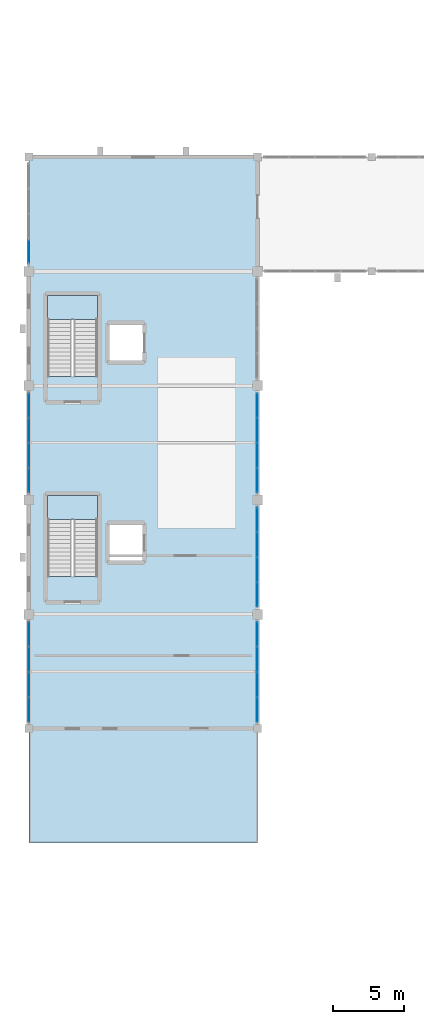
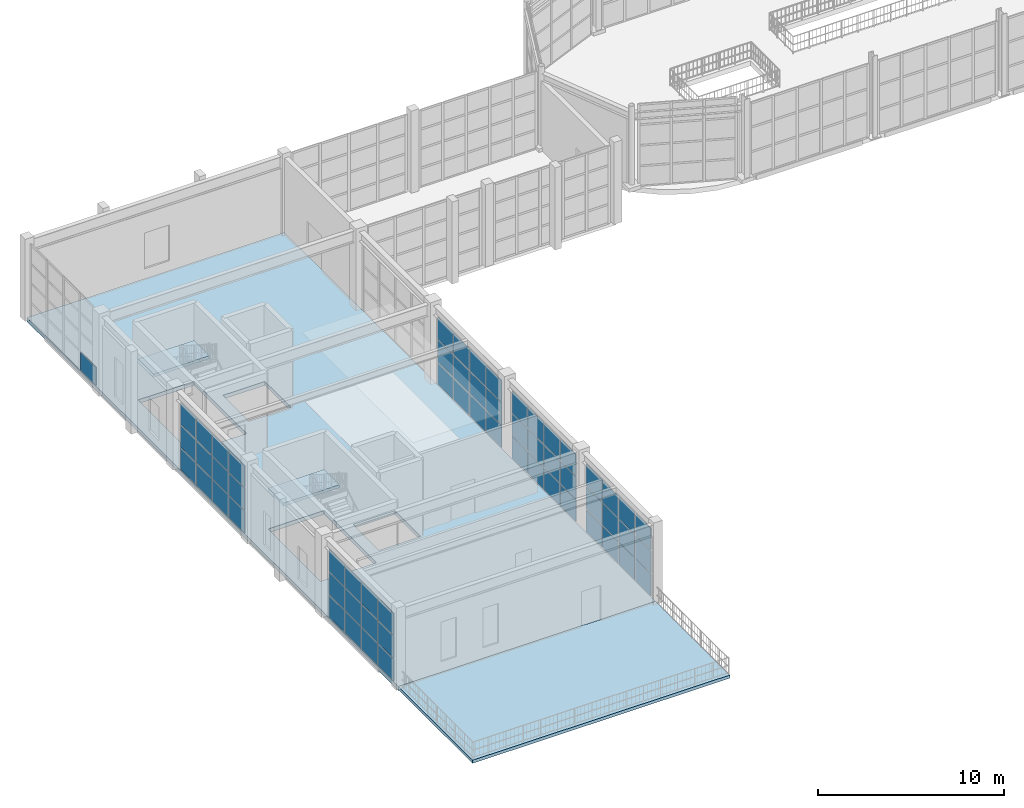
# One storey, part 47 of 82: 61 plates, 4 slabs, 8 elements without a shape of their own.
"""IFC4 building model written with IfcOpenShell, lengths in metres."""

from ifc_helpers import new_model, si_unit, direction, frame, origin, origin_2d, place, context, subcontext, project, spatial, polyline, rectangle, outline, extrude, material, layer, layer_set, type_object, element, aggregate, save


model = new_model("IFC4")

# Units and contexts
model_context = context("Model", 3, precision=1e-05, world=origin(), true_north=direction((0.0, 1.0)))
body_context = subcontext(model_context, "Body", "Model", "MODEL_VIEW")
ifc_project = project(units=[si_unit("LENGTHUNIT", "METRE"), si_unit("AREAUNIT", "SQUARE_METRE"), si_unit("VOLUMEUNIT", "CUBIC_METRE"), si_unit("PLANEANGLEUNIT", "RADIAN"), si_unit("MASSUNIT", "GRAM", prefix="KILO")], contexts=[model_context])

# Site, building, storey
site_placement = place(None, origin())
site = spatial("IfcSite", under=ifc_project, at=site_placement, CompositionType="ELEMENT")
building_placement = place(site_placement, origin())
building = spatial("IfcBuilding", under=site, at=building_placement, Name="Serraluz Foothill Cableway Terminal", CompositionType="ELEMENT")
storey_placement = place(building_placement, frame((0.0, 0.0, 9.60009765625)))
storey = spatial("IfcBuildingStorey", under=building, at=storey_placement, Name="L02", CompositionType="ELEMENT", Elevation=9.60009765625)

# Curtain wall, plates
ifc_material_1 = material(Name="Architectural bronze alloy C28000", Category="aluminium")
curtain_wall_type_1 = type_object("IfcCurtainWallType", Name="TYP-CW-740X440", PredefinedType="NOTDEFINED", material=ifc_material_1)
curtain_wall_1_placement = place(storey_placement, origin())
curtain_wall_1 = element("IfcCurtainWall", 1, at=curtain_wall_1_placement, inside=storey, type_object=curtain_wall_type_1, Name="Ribbed Glazed Curtain Wall CW-V5W-L02-24", PredefinedType="NOTDEFINED")
ifc_material_2 = material(Name="Translucent ribbed laminated channel glass", Category="glass")
ifc_layer_1 = layer(ifc_material_2, 0.028076171875, Name="Translucent ribbed laminated channel glass", Category="glass")
ifc_layer_set_1 = layer_set([ifc_layer_1], Name="Translucent ribbed laminated channel glass")
plate_type = type_object("IfcPlateType", Name="TYP-CW-PNL-28", PredefinedType="CURTAIN_PANEL", material=ifc_layer_set_1)
plate_1_placement = place(storey_placement, frame((0.0, 25.31689453125, 0.06005859375), z_axis=(0.0, 0.0, 1.0), x_axis=(0.0, 1.0, 0.0)))
plate_1 = element("IfcPlate", 2, at=plate_1_placement, type_object=plate_type, Name="CW-06 panel 1.1", PredefinedType="CURTAIN_PANEL", context=body_context, shape_type="SweptSolid", body=[
    extrude(rectangle(XDim=1.683837890625, YDim=0.028076171875, at=origin_2d()), origin(), (0.0, 0.0, 1.0), 1.431396484375),
])
plate_2_placement = place(storey_placement, frame((0.0, 25.31689453125, 1.55126953125), z_axis=(0.0, 0.0, 1.0), x_axis=(0.0, 1.0, 0.0)))
plate_2 = element("IfcPlate", 3, at=plate_2_placement, type_object=plate_type, Name="CW-06 panel 1.2", PredefinedType="CURTAIN_PANEL", context=body_context, shape_type="SweptSolid", body=[
    extrude(rectangle(XDim=1.683837890625, YDim=0.028076171875, at=origin_2d()), origin(), (0.0, 0.0, 1.0), 1.46142578125),
])
plate_3_placement = place(storey_placement, frame((0.0, 25.31689453125, 3.07275390625), z_axis=(0.0, 0.0, 1.0), x_axis=(0.0, 1.0, 0.0)))
plate_3 = element("IfcPlate", 4, at=plate_3_placement, type_object=plate_type, Name="CW-06 panel 1.3", PredefinedType="CURTAIN_PANEL", context=body_context, shape_type="SweptSolid", body=[
    extrude(rectangle(XDim=1.683837890625, YDim=0.028076171875, at=origin_2d()), origin(), (0.0, 0.0, 1.0), 1.431396484375),
])
plate_4_placement = place(storey_placement, frame((0.0, 27.07568359375, 0.06005859375), z_axis=(0.0, 0.0, 1.0), x_axis=(0.0, 1.0, 0.0)))
plate_4 = element("IfcPlate", 5, at=plate_4_placement, type_object=plate_type, Name="CW-06 panel 2.1", PredefinedType="CURTAIN_PANEL", context=body_context, shape_type="SweptSolid", body=[
    extrude(rectangle(XDim=1.7138671875, YDim=0.028076171875, at=origin_2d()), origin(), (0.0, 0.0, 1.0), 1.431396484375),
])
plate_5_placement = place(storey_placement, frame((0.0, 27.07568359375, 1.55126953125), z_axis=(0.0, 0.0, 1.0), x_axis=(0.0, 1.0, 0.0)))
plate_5 = element("IfcPlate", 6, at=plate_5_placement, type_object=plate_type, Name="CW-06 panel 2.2", PredefinedType="CURTAIN_PANEL", context=body_context, shape_type="SweptSolid", body=[
    extrude(rectangle(XDim=1.7138671875, YDim=0.028076171875, at=origin_2d()), origin(), (0.0, 0.0, 1.0), 1.46142578125),
])
plate_6_placement = place(storey_placement, frame((0.0, 27.07568359375, 3.07275390625), z_axis=(0.0, 0.0, 1.0), x_axis=(0.0, 1.0, 0.0)))
plate_6 = element("IfcPlate", 7, at=plate_6_placement, type_object=plate_type, Name="CW-06 panel 2.3", PredefinedType="CURTAIN_PANEL", context=body_context, shape_type="SweptSolid", body=[
    extrude(rectangle(XDim=1.7138671875, YDim=0.028076171875, at=origin_2d()), origin(), (0.0, 0.0, 1.0), 1.431396484375),
])
plate_7_placement = place(storey_placement, frame((0.0, 28.849365234375, 0.06005859375), z_axis=(0.0, 0.0, 1.0), x_axis=(0.0, 1.0, 0.0)))
plate_7 = element("IfcPlate", 8, at=plate_7_placement, type_object=plate_type, Name="CW-06 panel 3.1", PredefinedType="CURTAIN_PANEL", context=body_context, shape_type="SweptSolid", body=[
    extrude(rectangle(XDim=1.7138671875, YDim=0.028076171875, at=origin_2d()), origin(), (0.0, 0.0, 1.0), 1.431396484375),
])
plate_8_placement = place(storey_placement, frame((0.0, 28.849365234375, 1.55126953125), z_axis=(0.0, 0.0, 1.0), x_axis=(0.0, 1.0, 0.0)))
plate_8 = element("IfcPlate", 9, at=plate_8_placement, type_object=plate_type, Name="CW-06 panel 3.2", PredefinedType="CURTAIN_PANEL", context=body_context, shape_type="SweptSolid", body=[
    extrude(rectangle(XDim=1.7138671875, YDim=0.028076171875, at=origin_2d()), origin(), (0.0, 0.0, 1.0), 1.46142578125),
])
plate_9_placement = place(storey_placement, frame((0.0, 28.849365234375, 3.07275390625), z_axis=(0.0, 0.0, 1.0), x_axis=(0.0, 1.0, 0.0)))
plate_9 = element("IfcPlate", 10, at=plate_9_placement, type_object=plate_type, Name="CW-06 panel 3.3", PredefinedType="CURTAIN_PANEL", context=body_context, shape_type="SweptSolid", body=[
    extrude(rectangle(XDim=1.7138671875, YDim=0.028076171875, at=origin_2d()), origin(), (0.0, 0.0, 1.0), 1.431396484375),
])
plate_10_placement = place(storey_placement, frame((0.0, 30.608154296875, 0.06005859375), z_axis=(0.0, 0.0, 1.0), x_axis=(0.0, 1.0, 0.0)))
plate_10 = element("IfcPlate", 11, at=plate_10_placement, type_object=plate_type, Name="CW-06 panel 4.1", PredefinedType="CURTAIN_PANEL", context=body_context, shape_type="SweptSolid", body=[
    extrude(rectangle(XDim=1.683837890625, YDim=0.028076171875, at=origin_2d()), origin(), (0.0, 0.0, 1.0), 1.431396484375),
])
plate_11_placement = place(storey_placement, frame((0.0, 30.608154296875, 1.55126953125), z_axis=(0.0, 0.0, 1.0), x_axis=(0.0, 1.0, 0.0)))
plate_11 = element("IfcPlate", 12, at=plate_11_placement, type_object=plate_type, Name="CW-06 panel 4.2", PredefinedType="CURTAIN_PANEL", context=body_context, shape_type="SweptSolid", body=[
    extrude(rectangle(XDim=1.683837890625, YDim=0.028076171875, at=origin_2d()), origin(), (0.0, 0.0, 1.0), 1.46142578125),
])
plate_12_placement = place(storey_placement, frame((0.0, 30.608154296875, 3.07275390625), z_axis=(0.0, 0.0, 1.0), x_axis=(0.0, 1.0, 0.0)))
plate_12 = element("IfcPlate", 13, at=plate_12_placement, type_object=plate_type, Name="CW-06 panel 4.3", PredefinedType="CURTAIN_PANEL", context=body_context, shape_type="SweptSolid", body=[
    extrude(rectangle(XDim=1.683837890625, YDim=0.028076171875, at=origin_2d()), origin(), (0.0, 0.0, 1.0), 1.431396484375),
])
aggregate(curtain_wall_1, [plate_1, plate_2, plate_3, plate_4, plate_5, plate_6, plate_7, plate_8, plate_9, plate_10, plate_11, plate_12])

curtain_wall_type_2 = type_object("IfcCurtainWallType", Name="TYP-CW-640X440", PredefinedType="NOTDEFINED", material=ifc_material_1)
curtain_wall_2_placement = place(storey_placement, origin())
curtain_wall_2 = element("IfcCurtainWall", 14, at=curtain_wall_2_placement, inside=storey, type_object=curtain_wall_type_2, Name="Ribbed Glazed Curtain Wall CW-V5E-L02-24", PredefinedType="NOTDEFINED")
plate_13_placement = place(storey_placement, frame((16.0, 30.608154296875, 0.06005859375), z_axis=(0.0, 0.0, 1.0), x_axis=(0.0, -1.0, 0.0)))
plate_13 = element("IfcPlate", 15, at=plate_13_placement, type_object=plate_type, Name="CW-12 panel 1.1", PredefinedType="CURTAIN_PANEL", context=body_context, shape_type="SweptSolid", body=[
    extrude(rectangle(XDim=1.683837890625, YDim=0.028076171875, at=origin_2d()), origin(), (0.0, 0.0, 1.0), 1.431396484375),
])
plate_14_placement = place(storey_placement, frame((16.0, 30.608154296875, 1.55126953125), z_axis=(0.0, 0.0, 1.0), x_axis=(0.0, -1.0, 0.0)))
plate_14 = element("IfcPlate", 16, at=plate_14_placement, type_object=plate_type, Name="CW-12 panel 1.2", PredefinedType="CURTAIN_PANEL", context=body_context, shape_type="SweptSolid", body=[
    extrude(rectangle(XDim=1.683837890625, YDim=0.028076171875, at=origin_2d()), origin(), (0.0, 0.0, 1.0), 1.46142578125),
])
plate_15_placement = place(storey_placement, frame((16.0, 30.608154296875, 3.07275390625), z_axis=(0.0, 0.0, 1.0), x_axis=(0.0, -1.0, 0.0)))
plate_15 = element("IfcPlate", 17, at=plate_15_placement, type_object=plate_type, Name="CW-12 panel 1.3", PredefinedType="CURTAIN_PANEL", context=body_context, shape_type="SweptSolid", body=[
    extrude(rectangle(XDim=1.683837890625, YDim=0.028076171875, at=origin_2d()), origin(), (0.0, 0.0, 1.0), 1.431396484375),
])
plate_16_placement = place(storey_placement, frame((16.0, 28.849365234375, 0.06005859375), z_axis=(0.0, 0.0, 1.0), x_axis=(0.0, -1.0, 0.0)))
plate_16 = element("IfcPlate", 18, at=plate_16_placement, type_object=plate_type, Name="CW-12 panel 2.1", PredefinedType="CURTAIN_PANEL", context=body_context, shape_type="SweptSolid", body=[
    extrude(rectangle(XDim=1.7138671875, YDim=0.028076171875, at=origin_2d()), origin(), (0.0, 0.0, 1.0), 1.431396484375),
])
plate_17_placement = place(storey_placement, frame((16.0, 28.849365234375, 1.55126953125), z_axis=(0.0, 0.0, 1.0), x_axis=(0.0, -1.0, 0.0)))
plate_17 = element("IfcPlate", 19, at=plate_17_placement, type_object=plate_type, Name="CW-12 panel 2.2", PredefinedType="CURTAIN_PANEL", context=body_context, shape_type="SweptSolid", body=[
    extrude(rectangle(XDim=1.7138671875, YDim=0.028076171875, at=origin_2d()), origin(), (0.0, 0.0, 1.0), 1.46142578125),
])
plate_18_placement = place(storey_placement, frame((16.0, 28.849365234375, 3.07275390625), z_axis=(0.0, 0.0, 1.0), x_axis=(0.0, -1.0, 0.0)))
plate_18 = element("IfcPlate", 20, at=plate_18_placement, type_object=plate_type, Name="CW-12 panel 2.3", PredefinedType="CURTAIN_PANEL", context=body_context, shape_type="SweptSolid", body=[
    extrude(rectangle(XDim=1.7138671875, YDim=0.028076171875, at=origin_2d()), origin(), (0.0, 0.0, 1.0), 1.431396484375),
])
plate_19_placement = place(storey_placement, frame((16.0, 27.07568359375, 0.06005859375), z_axis=(0.0, 0.0, 1.0), x_axis=(0.0, -1.0, 0.0)))
plate_19 = element("IfcPlate", 21, at=plate_19_placement, type_object=plate_type, Name="CW-12 panel 3.1", PredefinedType="CURTAIN_PANEL", context=body_context, shape_type="SweptSolid", body=[
    extrude(rectangle(XDim=1.7138671875, YDim=0.028076171875, at=origin_2d()), origin(), (0.0, 0.0, 1.0), 1.431396484375),
])
plate_20_placement = place(storey_placement, frame((16.0, 27.07568359375, 1.55126953125), z_axis=(0.0, 0.0, 1.0), x_axis=(0.0, -1.0, 0.0)))
plate_20 = element("IfcPlate", 22, at=plate_20_placement, type_object=plate_type, Name="CW-12 panel 3.2", PredefinedType="CURTAIN_PANEL", context=body_context, shape_type="SweptSolid", body=[
    extrude(rectangle(XDim=1.7138671875, YDim=0.028076171875, at=origin_2d()), origin(), (0.0, 0.0, 1.0), 1.46142578125),
])
plate_21_placement = place(storey_placement, frame((16.0, 27.07568359375, 3.07275390625), z_axis=(0.0, 0.0, 1.0), x_axis=(0.0, -1.0, 0.0)))
plate_21 = element("IfcPlate", 23, at=plate_21_placement, type_object=plate_type, Name="CW-12 panel 3.3", PredefinedType="CURTAIN_PANEL", context=body_context, shape_type="SweptSolid", body=[
    extrude(rectangle(XDim=1.7138671875, YDim=0.028076171875, at=origin_2d()), origin(), (0.0, 0.0, 1.0), 1.431396484375),
])
plate_22_placement = place(storey_placement, frame((16.0, 25.31689453125, 0.06005859375), z_axis=(0.0, 0.0, 1.0), x_axis=(0.0, -1.0, 0.0)))
plate_22 = element("IfcPlate", 24, at=plate_22_placement, type_object=plate_type, Name="CW-12 panel 4.1", PredefinedType="CURTAIN_PANEL", context=body_context, shape_type="SweptSolid", body=[
    extrude(rectangle(XDim=1.683837890625, YDim=0.028076171875, at=origin_2d()), origin(), (0.0, 0.0, 1.0), 1.431396484375),
])
plate_23_placement = place(storey_placement, frame((16.0, 25.31689453125, 1.55126953125), z_axis=(0.0, 0.0, 1.0), x_axis=(0.0, -1.0, 0.0)))
plate_23 = element("IfcPlate", 25, at=plate_23_placement, type_object=plate_type, Name="CW-12 panel 4.2", PredefinedType="CURTAIN_PANEL", context=body_context, shape_type="SweptSolid", body=[
    extrude(rectangle(XDim=1.683837890625, YDim=0.028076171875, at=origin_2d()), origin(), (0.0, 0.0, 1.0), 1.46142578125),
])
plate_24_placement = place(storey_placement, frame((16.0, 25.31689453125, 3.07275390625), z_axis=(0.0, 0.0, 1.0), x_axis=(0.0, -1.0, 0.0)))
plate_24 = element("IfcPlate", 26, at=plate_24_placement, type_object=plate_type, Name="CW-12 panel 4.3", PredefinedType="CURTAIN_PANEL", context=body_context, shape_type="SweptSolid", body=[
    extrude(rectangle(XDim=1.683837890625, YDim=0.028076171875, at=origin_2d()), origin(), (0.0, 0.0, 1.0), 1.431396484375),
])
aggregate(curtain_wall_2, [plate_13, plate_14, plate_15, plate_16, plate_17, plate_18, plate_19, plate_20, plate_21, plate_22, plate_23, plate_24])

curtain_wall_type_3 = type_object("IfcCurtainWallType", Name="TYP-CW-680X420", PredefinedType="NOTDEFINED", material=ifc_material_1)
curtain_wall_3_placement = place(storey_placement, origin())
curtain_wall_3 = element("IfcCurtainWall", 27, at=curtain_wall_3_placement, inside=storey, type_object=curtain_wall_type_3, Name="Ribbed Glazed Curtain Wall CW-V5E-L02-32", PredefinedType="NOTDEFINED")
plate_25_placement = place(storey_placement, frame((16.0, 38.617431640625, 0.059814453125), z_axis=(0.0, 0.0, 1.0), x_axis=(0.0, -1.0, 0.0)))
plate_25 = element("IfcPlate", 28, at=plate_25_placement, type_object=plate_type, Name="CW-13 panel 1.1", PredefinedType="CURTAIN_PANEL", context=body_context, shape_type="SweptSolid", body=[
    extrude(rectangle(XDim=1.6650390625, YDim=0.028076171875, at=origin_2d()), origin(), (0.0, 0.0, 1.0), 1.42138671875),
])
plate_26_placement = place(storey_placement, frame((16.0, 38.617431640625, 1.541015625), z_axis=(0.0, 0.0, 1.0), x_axis=(0.0, -1.0, 0.0)))
plate_26 = element("IfcPlate", 29, at=plate_26_placement, type_object=plate_type, Name="CW-13 panel 1.2", PredefinedType="CURTAIN_PANEL", context=body_context, shape_type="SweptSolid", body=[
    extrude(rectangle(XDim=1.6650390625, YDim=0.028076171875, at=origin_2d()), origin(), (0.0, 0.0, 1.0), 1.451416015625),
])
plate_27_placement = place(storey_placement, frame((16.0, 38.617431640625, 3.052490234375), z_axis=(0.0, 0.0, 1.0), x_axis=(0.0, -1.0, 0.0)))
plate_27 = element("IfcPlate", 30, at=plate_27_placement, type_object=plate_type, Name="CW-13 panel 1.3", PredefinedType="CURTAIN_PANEL", context=body_context, shape_type="SweptSolid", body=[
    extrude(rectangle(XDim=1.6650390625, YDim=0.028076171875, at=origin_2d()), origin(), (0.0, 0.0, 1.0), 1.42138671875),
])
plate_28_placement = place(storey_placement, frame((16.0, 36.87744140625, 0.059814453125), z_axis=(0.0, 0.0, 1.0), x_axis=(0.0, -1.0, 0.0)))
plate_28 = element("IfcPlate", 31, at=plate_28_placement, type_object=plate_type, Name="CW-13 panel 2.1", PredefinedType="CURTAIN_PANEL", context=body_context, shape_type="SweptSolid", body=[
    extrude(rectangle(XDim=1.695068359375, YDim=0.028076171875, at=origin_2d()), origin(), (0.0, 0.0, 1.0), 1.42138671875),
])
plate_29_placement = place(storey_placement, frame((16.0, 36.87744140625, 1.541015625), z_axis=(0.0, 0.0, 1.0), x_axis=(0.0, -1.0, 0.0)))
plate_29 = element("IfcPlate", 32, at=plate_29_placement, type_object=plate_type, Name="CW-13 panel 2.2", PredefinedType="CURTAIN_PANEL", context=body_context, shape_type="SweptSolid", body=[
    extrude(rectangle(XDim=1.695068359375, YDim=0.028076171875, at=origin_2d()), origin(), (0.0, 0.0, 1.0), 1.451416015625),
])
plate_30_placement = place(storey_placement, frame((16.0, 36.87744140625, 3.052490234375), z_axis=(0.0, 0.0, 1.0), x_axis=(0.0, -1.0, 0.0)))
plate_30 = element("IfcPlate", 33, at=plate_30_placement, type_object=plate_type, Name="CW-13 panel 2.3", PredefinedType="CURTAIN_PANEL", context=body_context, shape_type="SweptSolid", body=[
    extrude(rectangle(XDim=1.695068359375, YDim=0.028076171875, at=origin_2d()), origin(), (0.0, 0.0, 1.0), 1.42138671875),
])
plate_31_placement = place(storey_placement, frame((16.0, 35.12255859375, 0.059814453125), z_axis=(0.0, 0.0, 1.0), x_axis=(0.0, -1.0, 0.0)))
plate_31 = element("IfcPlate", 34, at=plate_31_placement, type_object=plate_type, Name="CW-13 panel 3.1", PredefinedType="CURTAIN_PANEL", context=body_context, shape_type="SweptSolid", body=[
    extrude(rectangle(XDim=1.695068359375, YDim=0.028076171875, at=origin_2d()), origin(), (0.0, 0.0, 1.0), 1.42138671875),
])
plate_32_placement = place(storey_placement, frame((16.0, 35.12255859375, 1.541015625), z_axis=(0.0, 0.0, 1.0), x_axis=(0.0, -1.0, 0.0)))
plate_32 = element("IfcPlate", 35, at=plate_32_placement, type_object=plate_type, Name="CW-13 panel 3.2", PredefinedType="CURTAIN_PANEL", context=body_context, shape_type="SweptSolid", body=[
    extrude(rectangle(XDim=1.695068359375, YDim=0.028076171875, at=origin_2d()), origin(), (0.0, 0.0, 1.0), 1.451416015625),
])
plate_33_placement = place(storey_placement, frame((16.0, 35.12255859375, 3.052490234375), z_axis=(0.0, 0.0, 1.0), x_axis=(0.0, -1.0, 0.0)))
plate_33 = element("IfcPlate", 36, at=plate_33_placement, type_object=plate_type, Name="CW-13 panel 3.3", PredefinedType="CURTAIN_PANEL", context=body_context, shape_type="SweptSolid", body=[
    extrude(rectangle(XDim=1.695068359375, YDim=0.028076171875, at=origin_2d()), origin(), (0.0, 0.0, 1.0), 1.42138671875),
])
plate_34_placement = place(storey_placement, frame((16.0, 33.382568359375, 0.059814453125), z_axis=(0.0, 0.0, 1.0), x_axis=(0.0, -1.0, 0.0)))
plate_34 = element("IfcPlate", 37, at=plate_34_placement, type_object=plate_type, Name="CW-13 panel 4.1", PredefinedType="CURTAIN_PANEL", context=body_context, shape_type="SweptSolid", body=[
    extrude(rectangle(XDim=1.6650390625, YDim=0.028076171875, at=origin_2d()), origin(), (0.0, 0.0, 1.0), 1.42138671875),
])
plate_35_placement = place(storey_placement, frame((16.0, 33.382568359375, 1.541015625), z_axis=(0.0, 0.0, 1.0), x_axis=(0.0, -1.0, 0.0)))
plate_35 = element("IfcPlate", 38, at=plate_35_placement, type_object=plate_type, Name="CW-13 panel 4.2", PredefinedType="CURTAIN_PANEL", context=body_context, shape_type="SweptSolid", body=[
    extrude(rectangle(XDim=1.6650390625, YDim=0.028076171875, at=origin_2d()), origin(), (0.0, 0.0, 1.0), 1.451416015625),
])
plate_36_placement = place(storey_placement, frame((16.0, 33.382568359375, 3.052490234375), z_axis=(0.0, 0.0, 1.0), x_axis=(0.0, -1.0, 0.0)))
plate_36 = element("IfcPlate", 39, at=plate_36_placement, type_object=plate_type, Name="CW-13 panel 4.3", PredefinedType="CURTAIN_PANEL", context=body_context, shape_type="SweptSolid", body=[
    extrude(rectangle(XDim=1.6650390625, YDim=0.028076171875, at=origin_2d()), origin(), (0.0, 0.0, 1.0), 1.42138671875),
])
aggregate(curtain_wall_3, [plate_25, plate_26, plate_27, plate_28, plate_29, plate_30, plate_31, plate_32, plate_33, plate_34, plate_35, plate_36])

curtain_wall_type_4 = type_object("IfcCurtainWallType", Name="TYP-CW-520X440", PredefinedType="NOTDEFINED", material=ifc_material_1)
curtain_wall_4_placement = place(storey_placement, origin())
curtain_wall_4 = element("IfcCurtainWall", 40, at=curtain_wall_4_placement, inside=storey, type_object=curtain_wall_type_4, Name="Ribbed Glazed Curtain Wall CW-V5W-L02-40", PredefinedType="NOTDEFINED")
plate_37_placement = place(storey_placement, frame((0.0, 41.382568359375, 0.059814453125), z_axis=(0.0, 0.0, 1.0), x_axis=(0.0, 1.0, 0.0)))
plate_37 = element("IfcPlate", 41, at=plate_37_placement, type_object=plate_type, Name="CW-08 panel 1.1", PredefinedType="CURTAIN_PANEL", context=body_context, shape_type="SweptSolid", body=[
    extrude(rectangle(XDim=1.6650390625, YDim=0.028076171875, at=origin_2d()), origin(), (0.0, 0.0, 1.0), 1.42138671875),
])
plate_38_placement = place(storey_placement, frame((0.0, 41.382568359375, 1.541015625), z_axis=(0.0, 0.0, 1.0), x_axis=(0.0, 1.0, 0.0)))
plate_38 = element("IfcPlate", 42, at=plate_38_placement, type_object=plate_type, Name="CW-08 panel 1.2", PredefinedType="CURTAIN_PANEL", context=body_context, shape_type="SweptSolid", body=[
    extrude(rectangle(XDim=1.6650390625, YDim=0.028076171875, at=origin_2d()), origin(), (0.0, 0.0, 1.0), 1.451416015625),
])
plate_39_placement = place(storey_placement, frame((0.0, 41.382568359375, 3.052490234375), z_axis=(0.0, 0.0, 1.0), x_axis=(0.0, 1.0, 0.0)))
plate_39 = element("IfcPlate", 43, at=plate_39_placement, type_object=plate_type, Name="CW-08 panel 1.3", PredefinedType="CURTAIN_PANEL", context=body_context, shape_type="SweptSolid", body=[
    extrude(rectangle(XDim=1.6650390625, YDim=0.028076171875, at=origin_2d()), origin(), (0.0, 0.0, 1.0), 1.42138671875),
])
plate_40_placement = place(storey_placement, frame((0.0, 43.12255859375, 0.059814453125), z_axis=(0.0, 0.0, 1.0), x_axis=(0.0, 1.0, 0.0)))
plate_40 = element("IfcPlate", 44, at=plate_40_placement, type_object=plate_type, Name="CW-08 panel 2.1", PredefinedType="CURTAIN_PANEL", context=body_context, shape_type="SweptSolid", body=[
    extrude(rectangle(XDim=1.695068359375, YDim=0.028076171875, at=origin_2d()), origin(), (0.0, 0.0, 1.0), 1.42138671875),
])
plate_41_placement = place(storey_placement, frame((0.0, 43.12255859375, 1.541015625), z_axis=(0.0, 0.0, 1.0), x_axis=(0.0, 1.0, 0.0)))
plate_41 = element("IfcPlate", 45, at=plate_41_placement, type_object=plate_type, Name="CW-08 panel 2.2", PredefinedType="CURTAIN_PANEL", context=body_context, shape_type="SweptSolid", body=[
    extrude(rectangle(XDim=1.695068359375, YDim=0.028076171875, at=origin_2d()), origin(), (0.0, 0.0, 1.0), 1.451416015625),
])
plate_42_placement = place(storey_placement, frame((0.0, 43.12255859375, 3.052490234375), z_axis=(0.0, 0.0, 1.0), x_axis=(0.0, 1.0, 0.0)))
plate_42 = element("IfcPlate", 46, at=plate_42_placement, type_object=plate_type, Name="CW-08 panel 2.3", PredefinedType="CURTAIN_PANEL", context=body_context, shape_type="SweptSolid", body=[
    extrude(rectangle(XDim=1.695068359375, YDim=0.028076171875, at=origin_2d()), origin(), (0.0, 0.0, 1.0), 1.42138671875),
])
plate_43_placement = place(storey_placement, frame((0.0, 44.87744140625, 0.059814453125), z_axis=(0.0, 0.0, 1.0), x_axis=(0.0, 1.0, 0.0)))
plate_43 = element("IfcPlate", 47, at=plate_43_placement, type_object=plate_type, Name="CW-08 panel 3.1", PredefinedType="CURTAIN_PANEL", context=body_context, shape_type="SweptSolid", body=[
    extrude(rectangle(XDim=1.695068359375, YDim=0.028076171875, at=origin_2d()), origin(), (0.0, 0.0, 1.0), 1.42138671875),
])
plate_44_placement = place(storey_placement, frame((0.0, 44.87744140625, 1.541015625), z_axis=(0.0, 0.0, 1.0), x_axis=(0.0, 1.0, 0.0)))
plate_44 = element("IfcPlate", 48, at=plate_44_placement, type_object=plate_type, Name="CW-08 panel 3.2", PredefinedType="CURTAIN_PANEL", context=body_context, shape_type="SweptSolid", body=[
    extrude(rectangle(XDim=1.695068359375, YDim=0.028076171875, at=origin_2d()), origin(), (0.0, 0.0, 1.0), 1.451416015625),
])
plate_45_placement = place(storey_placement, frame((0.0, 44.87744140625, 3.052490234375), z_axis=(0.0, 0.0, 1.0), x_axis=(0.0, 1.0, 0.0)))
plate_45 = element("IfcPlate", 49, at=plate_45_placement, type_object=plate_type, Name="CW-08 panel 3.3", PredefinedType="CURTAIN_PANEL", context=body_context, shape_type="SweptSolid", body=[
    extrude(rectangle(XDim=1.695068359375, YDim=0.028076171875, at=origin_2d()), origin(), (0.0, 0.0, 1.0), 1.42138671875),
])
plate_46_placement = place(storey_placement, frame((0.0, 46.617431640625, 0.059814453125), z_axis=(0.0, 0.0, 1.0), x_axis=(0.0, 1.0, 0.0)))
plate_46 = element("IfcPlate", 50, at=plate_46_placement, type_object=plate_type, Name="CW-08 panel 4.1", PredefinedType="CURTAIN_PANEL", context=body_context, shape_type="SweptSolid", body=[
    extrude(rectangle(XDim=1.6650390625, YDim=0.028076171875, at=origin_2d()), origin(), (0.0, 0.0, 1.0), 1.42138671875),
])
plate_47_placement = place(storey_placement, frame((0.0, 46.617431640625, 1.541015625), z_axis=(0.0, 0.0, 1.0), x_axis=(0.0, 1.0, 0.0)))
plate_47 = element("IfcPlate", 51, at=plate_47_placement, type_object=plate_type, Name="CW-08 panel 4.2", PredefinedType="CURTAIN_PANEL", context=body_context, shape_type="SweptSolid", body=[
    extrude(rectangle(XDim=1.6650390625, YDim=0.028076171875, at=origin_2d()), origin(), (0.0, 0.0, 1.0), 1.451416015625),
])
plate_48_placement = place(storey_placement, frame((0.0, 46.617431640625, 3.052490234375), z_axis=(0.0, 0.0, 1.0), x_axis=(0.0, 1.0, 0.0)))
plate_48 = element("IfcPlate", 52, at=plate_48_placement, type_object=plate_type, Name="CW-08 panel 4.3", PredefinedType="CURTAIN_PANEL", context=body_context, shape_type="SweptSolid", body=[
    extrude(rectangle(XDim=1.6650390625, YDim=0.028076171875, at=origin_2d()), origin(), (0.0, 0.0, 1.0), 1.42138671875),
])
aggregate(curtain_wall_4, [plate_37, plate_38, plate_39, plate_40, plate_41, plate_42, plate_43, plate_44, plate_45, plate_46, plate_47, plate_48])

curtain_wall_type_5 = type_object("IfcCurtainWallType", Name="TYP-CW-480X380", PredefinedType="NOTDEFINED", material=ifc_material_1)
curtain_wall_5_placement = place(storey_placement, origin())
curtain_wall_5 = element("IfcCurtainWall", 53, at=curtain_wall_5_placement, inside=storey, type_object=curtain_wall_type_5, Name="Ribbed Glazed Curtain Wall CW-V5E-L02-40", PredefinedType="NOTDEFINED")
plate_49_placement = place(storey_placement, frame((16.0, 46.617431640625, 0.059814453125), z_axis=(0.0, 0.0, 1.0), x_axis=(0.0, -1.0, 0.0)))
plate_49 = element("IfcPlate", 54, at=plate_49_placement, type_object=plate_type, Name="CW-14 panel 1.1", PredefinedType="CURTAIN_PANEL", context=body_context, shape_type="SweptSolid", body=[
    extrude(rectangle(XDim=1.6650390625, YDim=0.028076171875, at=origin_2d()), origin(), (0.0, 0.0, 1.0), 1.42138671875),
])
plate_50_placement = place(storey_placement, frame((16.0, 46.617431640625, 1.541015625), z_axis=(0.0, 0.0, 1.0), x_axis=(0.0, -1.0, 0.0)))
plate_50 = element("IfcPlate", 55, at=plate_50_placement, type_object=plate_type, Name="CW-14 panel 1.2", PredefinedType="CURTAIN_PANEL", context=body_context, shape_type="SweptSolid", body=[
    extrude(rectangle(XDim=1.6650390625, YDim=0.028076171875, at=origin_2d()), origin(), (0.0, 0.0, 1.0), 1.451416015625),
])
plate_51_placement = place(storey_placement, frame((16.0, 46.617431640625, 3.052490234375), z_axis=(0.0, 0.0, 1.0), x_axis=(0.0, -1.0, 0.0)))
plate_51 = element("IfcPlate", 56, at=plate_51_placement, type_object=plate_type, Name="CW-14 panel 1.3", PredefinedType="CURTAIN_PANEL", context=body_context, shape_type="SweptSolid", body=[
    extrude(rectangle(XDim=1.6650390625, YDim=0.028076171875, at=origin_2d()), origin(), (0.0, 0.0, 1.0), 1.42138671875),
])
plate_52_placement = place(storey_placement, frame((16.0, 44.87744140625, 0.059814453125), z_axis=(0.0, 0.0, 1.0), x_axis=(0.0, -1.0, 0.0)))
plate_52 = element("IfcPlate", 57, at=plate_52_placement, type_object=plate_type, Name="CW-14 panel 2.1", PredefinedType="CURTAIN_PANEL", context=body_context, shape_type="SweptSolid", body=[
    extrude(rectangle(XDim=1.695068359375, YDim=0.028076171875, at=origin_2d()), origin(), (0.0, 0.0, 1.0), 1.42138671875),
])
plate_53_placement = place(storey_placement, frame((16.0, 44.87744140625, 1.541015625), z_axis=(0.0, 0.0, 1.0), x_axis=(0.0, -1.0, 0.0)))
plate_53 = element("IfcPlate", 58, at=plate_53_placement, type_object=plate_type, Name="CW-14 panel 2.2", PredefinedType="CURTAIN_PANEL", context=body_context, shape_type="SweptSolid", body=[
    extrude(rectangle(XDim=1.695068359375, YDim=0.028076171875, at=origin_2d()), origin(), (0.0, 0.0, 1.0), 1.451416015625),
])
plate_54_placement = place(storey_placement, frame((16.0, 44.87744140625, 3.052490234375), z_axis=(0.0, 0.0, 1.0), x_axis=(0.0, -1.0, 0.0)))
plate_54 = element("IfcPlate", 59, at=plate_54_placement, type_object=plate_type, Name="CW-14 panel 2.3", PredefinedType="CURTAIN_PANEL", context=body_context, shape_type="SweptSolid", body=[
    extrude(rectangle(XDim=1.695068359375, YDim=0.028076171875, at=origin_2d()), origin(), (0.0, 0.0, 1.0), 1.42138671875),
])
plate_55_placement = place(storey_placement, frame((16.0, 43.12255859375, 0.059814453125), z_axis=(0.0, 0.0, 1.0), x_axis=(0.0, -1.0, 0.0)))
plate_55 = element("IfcPlate", 60, at=plate_55_placement, type_object=plate_type, Name="CW-14 panel 3.1", PredefinedType="CURTAIN_PANEL", context=body_context, shape_type="SweptSolid", body=[
    extrude(rectangle(XDim=1.695068359375, YDim=0.028076171875, at=origin_2d()), origin(), (0.0, 0.0, 1.0), 1.42138671875),
])
plate_56_placement = place(storey_placement, frame((16.0, 43.12255859375, 1.541015625), z_axis=(0.0, 0.0, 1.0), x_axis=(0.0, -1.0, 0.0)))
plate_56 = element("IfcPlate", 61, at=plate_56_placement, type_object=plate_type, Name="CW-14 panel 3.2", PredefinedType="CURTAIN_PANEL", context=body_context, shape_type="SweptSolid", body=[
    extrude(rectangle(XDim=1.695068359375, YDim=0.028076171875, at=origin_2d()), origin(), (0.0, 0.0, 1.0), 1.451416015625),
])
plate_57_placement = place(storey_placement, frame((16.0, 43.12255859375, 3.052490234375), z_axis=(0.0, 0.0, 1.0), x_axis=(0.0, -1.0, 0.0)))
plate_57 = element("IfcPlate", 62, at=plate_57_placement, type_object=plate_type, Name="CW-14 panel 3.3", PredefinedType="CURTAIN_PANEL", context=body_context, shape_type="SweptSolid", body=[
    extrude(rectangle(XDim=1.695068359375, YDim=0.028076171875, at=origin_2d()), origin(), (0.0, 0.0, 1.0), 1.42138671875),
])
plate_58_placement = place(storey_placement, frame((16.0, 41.382568359375, 0.059814453125), z_axis=(0.0, 0.0, 1.0), x_axis=(0.0, -1.0, 0.0)))
plate_58 = element("IfcPlate", 63, at=plate_58_placement, type_object=plate_type, Name="CW-14 panel 4.1", PredefinedType="CURTAIN_PANEL", context=body_context, shape_type="SweptSolid", body=[
    extrude(rectangle(XDim=1.6650390625, YDim=0.028076171875, at=origin_2d()), origin(), (0.0, 0.0, 1.0), 1.42138671875),
])
plate_59_placement = place(storey_placement, frame((16.0, 41.382568359375, 1.541015625), z_axis=(0.0, 0.0, 1.0), x_axis=(0.0, -1.0, 0.0)))
plate_59 = element("IfcPlate", 64, at=plate_59_placement, type_object=plate_type, Name="CW-14 panel 4.2", PredefinedType="CURTAIN_PANEL", context=body_context, shape_type="SweptSolid", body=[
    extrude(rectangle(XDim=1.6650390625, YDim=0.028076171875, at=origin_2d()), origin(), (0.0, 0.0, 1.0), 1.451416015625),
])
plate_60_placement = place(storey_placement, frame((16.0, 41.382568359375, 3.052490234375), z_axis=(0.0, 0.0, 1.0), x_axis=(0.0, -1.0, 0.0)))
plate_60 = element("IfcPlate", 65, at=plate_60_placement, type_object=plate_type, Name="CW-14 panel 4.3", PredefinedType="CURTAIN_PANEL", context=body_context, shape_type="SweptSolid", body=[
    extrude(rectangle(XDim=1.6650390625, YDim=0.028076171875, at=origin_2d()), origin(), (0.0, 0.0, 1.0), 1.42138671875),
])
aggregate(curtain_wall_5, [plate_49, plate_50, plate_51, plate_52, plate_53, plate_54, plate_55, plate_56, plate_57, plate_58, plate_59, plate_60])

# Curtain wall, plate
curtain_wall_type_6 = type_object("IfcCurtainWallType", Name="TYP-CW-540X420", PredefinedType="NOTDEFINED", material=ifc_material_1)
curtain_wall_6_placement = place(storey_placement, origin())
curtain_wall_6 = element("IfcCurtainWall", 66, at=curtain_wall_6_placement, inside=storey, type_object=curtain_wall_type_6, Name="Ribbed Glazed Curtain Wall CW-V5W-L02-56", PredefinedType="NOTDEFINED")
plate_61_placement = place(storey_placement, frame((0.0, 57.391845703125, 0.059814453125), z_axis=(0.0, 0.0, 1.0), x_axis=(0.0, 1.0, 0.0)))
plate_61 = element("IfcPlate", 67, at=plate_61_placement, type_object=plate_type, Name="CW-10 panel 1.1", PredefinedType="CURTAIN_PANEL", context=body_context, shape_type="SweptSolid", body=[
    extrude(rectangle(XDim=1.683837890625, YDim=0.028076171875, at=origin_2d()), origin(), (0.0, 0.0, 1.0), 1.18505859375),
])
aggregate(curtain_wall_6, [plate_61])

# Slab
ifc_material_3 = material(Name="Concrete C28/35 (f'c 28 MPa)", Category="concrete")
ifc_layer_2 = layer(ifc_material_3, 0.260009765625, Name="Concrete C28/35 (f'c 28 MPa)", Category="concrete")
ifc_layer_set_2 = layer_set([ifc_layer_2], Name="Concrete C28/35 (f'c 28 MPa)")
slab_type_1 = type_object("IfcSlabType", Name="TYP-SLB-FLR-260", PredefinedType="FLOOR", material=ifc_layer_set_2)
slab_1_placement = place(storey_placement, frame((0.0, 0.0, -0.260009765625)))
element("IfcSlab", 68, at=slab_1_placement, inside=storey, type_object=slab_type_1, Name="Structural Slab SLB-L02-V5A", PredefinedType="FLOOR", context=body_context, shape_type="SweptSolid", body=[
    extrude(outline(polyline([(0.0, 24.0), (16.0, 24.0), (16.0, 64.0), (0.0, 64.0), (0.0, 24.0)]), holes=[polyline([(4.800048828125, 48.659912109375), (4.800048828125, 54.31005859375), (1.320068359375, 54.31005859375), (1.320068359375, 48.659912109375), (4.800048828125, 48.659912109375)]), polyline([(4.800048828125, 34.659912109375), (4.800048828125, 40.31005859375), (1.320068359375, 40.31005859375), (1.320068359375, 34.659912109375), (4.800048828125, 34.659912109375)]), polyline([(5.5, 49.60009765625), (8.10009765625, 49.60009765625), (8.10009765625, 52.39990234375), (5.5, 52.39990234375), (5.5, 49.60009765625)]), polyline([(5.5, 35.60009765625), (8.10009765625, 35.60009765625), (8.10009765625, 38.39990234375), (5.5, 38.39990234375), (5.5, 35.60009765625)])]), origin(), (0.0, 0.0, 1.0), 0.260009765625),
])

# Stair, slab
ifc_material_4 = material(Name="Concrete C35/45 (f'c 35 MPa)", Category="concrete")
stair_type = type_object("IfcStairType", Name="TYP-ST-DOG-166-54", PredefinedType="HALF_TURN_STAIR", material=ifc_material_4)
stair_1_placement = place(storey_placement, origin())
stair_1 = element("IfcStair", 69, at=stair_1_placement, inside=storey, type_object=stair_type, Name="L02 ST-01", PredefinedType="HALF_TURN_STAIR")
ifc_layer_3 = layer(ifc_material_3, 0.199951171875, Name="Concrete C28/35 (f'c 28 MPa)", Category="concrete")
ifc_layer_set_3 = layer_set([ifc_layer_3], Name="Concrete C28/35 (f'c 28 MPa)")
slab_type_2 = type_object("IfcSlabType", Name="TYP-SLB-LND-200", PredefinedType="LANDING", material=ifc_layer_set_3)
slab_2_placement = place(storey_placement, frame((0.0, 0.0, 2.5)))
slab_2 = element("IfcSlab", 70, at=slab_2_placement, type_object=slab_type_2, Name="ST-01 landing 1", PredefinedType="LANDING", context=body_context, shape_type="SweptSolid", body=[
    extrude(outline(polyline([(4.800048828125, 52.64990234375), (4.800048828125, 54.31005859375), (1.320068359375, 54.31005859375), (1.320068359375, 52.64990234375), (4.800048828125, 52.64990234375)])), origin(), (0.0, 0.0, 1.0), 0.199951171875),
])
aggregate(stair_1, [slab_2])

stair_2_placement = place(storey_placement, origin())
stair_2 = element("IfcStair", 71, at=stair_2_placement, inside=storey, type_object=stair_type, Name="L02 ST-02", PredefinedType="HALF_TURN_STAIR")
slab_3_placement = place(storey_placement, frame((0.0, 0.0, 2.5)))
slab_3 = element("IfcSlab", 72, at=slab_3_placement, type_object=slab_type_2, Name="ST-02 landing 1", PredefinedType="LANDING", context=body_context, shape_type="SweptSolid", body=[
    extrude(outline(polyline([(4.800048828125, 38.64990234375), (4.800048828125, 40.31005859375), (1.320068359375, 40.31005859375), (1.320068359375, 38.64990234375), (4.800048828125, 38.64990234375)])), origin(), (0.0, 0.0, 1.0), 0.199951171875),
])
aggregate(stair_2, [slab_3])

# Slab
ifc_material_5 = material(Name="Precast concrete C40/50", Category="concrete")
ifc_layer_4 = layer(ifc_material_5, 0.205078125, Name="Precast concrete C40/50", Category="concrete")
ifc_layer_set_4 = layer_set([ifc_layer_4], Name="Precast concrete C40/50")
slab_type_3 = type_object("IfcSlabType", Name="TYP-SLB-TER-205", PredefinedType="FLOOR", material=ifc_layer_set_4)
slab_4_placement = place(storey_placement, frame((0.0, 0.0, -0.205078125)))
element("IfcSlab", 73, at=slab_4_placement, inside=storey, type_object=slab_type_3, Name="Exterior Terrace or Apron Slab TER-L02-V5", PredefinedType="FLOOR", context=body_context, shape_type="SweptSolid", body=[
    extrude(outline(polyline([(0.0, 16.0), (16.0, 16.0), (16.0, 24.0), (0.0, 24.0), (0.0, 16.0)])), origin(), (0.0, 0.0, 1.0), 0.205078125),
])

save(model, "model.ifc")
